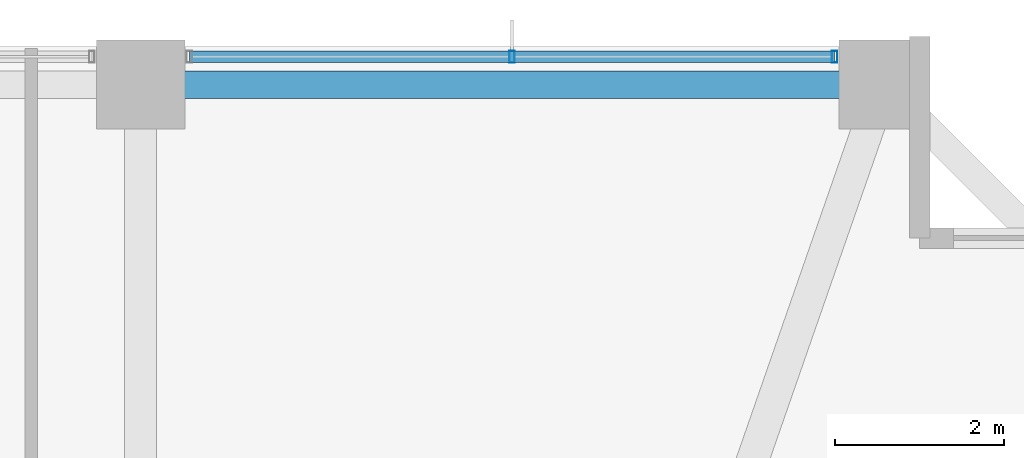
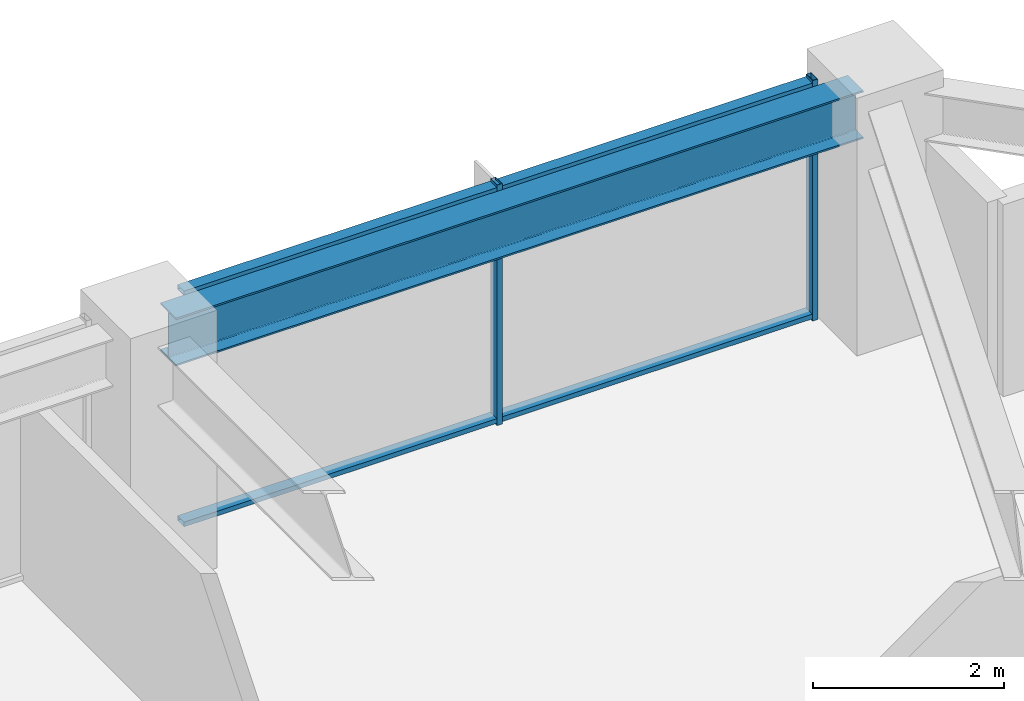
# One storey, part 23 of 38: 4 members, 1 beam, 1 element without a shape of its own.
"""IFC4 building model written with IfcOpenShell, lengths in metres."""

from ifc_helpers import new_model, si_unit, direction, frame, origin, origin_2d, place, context, subcontext, project, spatial, hollow_rectangle, i_section, extrude, material, material_profile, profile_set, type_object, element, aggregate, save


model = new_model("IFC4")

# Units and contexts
model_context = context("Model", 3, precision=1e-05, world=origin(), true_north=direction((0.0, 1.0)))
body_context = subcontext(model_context, "Body", "Model", "MODEL_VIEW")
ifc_project = project(units=[si_unit("LENGTHUNIT", "METRE"), si_unit("AREAUNIT", "SQUARE_METRE"), si_unit("VOLUMEUNIT", "CUBIC_METRE"), si_unit("PLANEANGLEUNIT", "RADIAN"), si_unit("MASSUNIT", "GRAM", prefix="KILO")], contexts=[model_context])

# Site, building, storey
site_placement = place(None, origin())
site = spatial("IfcSite", under=ifc_project, at=site_placement, CompositionType="ELEMENT")
building_placement = place(site_placement, origin())
building = spatial("IfcBuilding", under=site, at=building_placement, Name="Kolvaren Belvedere", CompositionType="ELEMENT")
storey_placement = place(building_placement, frame((0.0, 0.0, 101.89990234375)))
storey = spatial("IfcBuildingStorey", under=building, at=storey_placement, Name="L29", CompositionType="ELEMENT", Elevation=101.89990234375)

# Beam
ifc_material_1 = material(Name="Structural steel ASTM A992 Grade 50", Category="steel")
ifc_material_profile_1 = material_profile(ifc_material_1, i_section(OverallWidth=0.324951171875, OverallDepth=0.615966796875, WebThickness=0.013916015625, FlangeThickness=0.021484375, FilletRadius=0.02001953125, at=origin_2d()), Name="W24X117")
ifc_profile_set_1 = profile_set([ifc_material_profile_1], Name="Structural steel ASTM A992 Grade 50")
beam_type = type_object("IfcBeamType", Name="BM-SPAN-W24X117", PredefinedType="SPANDREL", material=ifc_profile_set_1)
beam_placement = place(storey_placement, frame((13.163818359375, 19.949951171875, 2.772216796875), z_axis=(-1.0, 0.0, 0.0), x_axis=(0.0, -1.0, 0.0)))
element("IfcBeam", 1, at=beam_placement, inside=storey, type_object=beam_type, Name="L29 Perimeter Spandrel N4-N3", PredefinedType="SPANDREL", context=body_context, shape_type="SweptSolid", body=[
    extrude(i_section(OverallWidth=0.324951171875, OverallDepth=0.615966796875, WebThickness=0.013916015625, FlangeThickness=0.021484375, FilletRadius=0.02001953125, at=origin_2d()), origin(), (0.0, 0.0, 1.0), 8.32763671875),
])

# Curtain wall, members
ifc_material_2 = material(Name="Anodised pale-metal aluminium AA 6063-T6", Category="aluminium")
curtain_wall_type = type_object("IfcCurtainWallType", Name="CW-Z2-MID", PredefinedType="NOTDEFINED", material=ifc_material_2)
curtain_wall_placement = place(storey_placement, origin())
curtain_wall = element("IfcCurtainWall", 2, at=curtain_wall_placement, inside=storey, type_object=curtain_wall_type, Name="L29 Unitised Curtain Wall FCW-L29-N-B3", PredefinedType="NOTDEFINED")
ifc_material_3 = material(Name="Anodised pale-metal aluminium AA 6063-T6", Category="aluminium")
ifc_material_profile_2 = material_profile(ifc_material_3, hollow_rectangle(XDim=0.06494140625, YDim=0.139892578125, WallThickness=0.00390625, at=origin_2d()), Name="ALU-MUL-140X65")
ifc_profile_set_2 = profile_set([ifc_material_profile_2], Name="Anodised pale-metal aluminium AA 6063-T6")
member_type_1 = type_object("IfcMemberType", Name="CW-MUL-140", PredefinedType="MULLION", material=ifc_profile_set_2)
member_1_placement = place(storey_placement, frame((9.0, 20.280029296875, 0.0), z_axis=(0.0, 0.0, 1.0), x_axis=(1.0, 0.0, 0.0)))
member_1 = element("IfcMember", 3, at=member_1_placement, type_object=member_type_1, Name="FCW-L29-N-B3 Unitised Mullion 2", PredefinedType="MULLION", context=body_context, shape_type="SweptSolid", body=[
    extrude(hollow_rectangle(XDim=0.06494140625, YDim=0.139892578125, WallThickness=0.00390625, at=origin_2d()), origin(), (0.0, 0.0, 1.0), 3.080078125),
])
member_2_placement = place(storey_placement, frame((12.822509765625, 20.280029296875, 0.0), z_axis=(0.0, 0.0, 1.0), x_axis=(1.0, 0.0, 0.0)))
member_2 = element("IfcMember", 4, at=member_2_placement, type_object=member_type_1, Name="FCW-L29-N-B3 Unitised Mullion 3", PredefinedType="MULLION", context=body_context, shape_type="SweptSolid", body=[
    extrude(hollow_rectangle(XDim=0.06494140625, YDim=0.139892578125, WallThickness=0.00390625, at=origin_2d()), origin(), (0.0, 0.0, 1.0), 3.080078125),
])
ifc_material_4 = material(Name="Anodised pale-metal aluminium AA 6063-T6", Category="aluminium")
ifc_material_profile_3 = material_profile(ifc_material_4, hollow_rectangle(XDim=0.06005859375, YDim=0.139892578125, WallThickness=0.00390625, at=origin_2d()), Name="ALU-TRN-140X60")
ifc_profile_set_3 = profile_set([ifc_material_profile_3], Name="Anodised pale-metal aluminium AA 6063-T6")
member_type_2 = type_object("IfcMemberType", Name="CW-TRN-140", PredefinedType="USERDEFINED", material=ifc_profile_set_3)
member_3_placement = place(storey_placement, frame((5.177490234375, 20.280029296875, 0.06005859375), z_axis=(1.0, 0.0, 0.0), x_axis=(0.0, 0.0, 1.0)))
member_3 = element("IfcMember", 5, at=member_3_placement, type_object=member_type_2, Name="FCW-L29-N-B3 Sill Transom", ObjectType="TRANSOM", PredefinedType="USERDEFINED", context=body_context, shape_type="SweptSolid", body=[
    extrude(hollow_rectangle(XDim=0.06005859375, YDim=0.139892578125, WallThickness=0.00390625, at=origin_2d()), origin(), (0.0, 0.0, 1.0), 7.64501953125),
])
member_4_placement = place(storey_placement, frame((5.177490234375, 20.280029296875, 3.02001953125), z_axis=(1.0, 0.0, 0.0), x_axis=(0.0, 0.0, 1.0)))
member_4 = element("IfcMember", 6, at=member_4_placement, type_object=member_type_2, Name="FCW-L29-N-B3 Head Transom", ObjectType="TRANSOM", PredefinedType="USERDEFINED", context=body_context, shape_type="SweptSolid", body=[
    extrude(hollow_rectangle(XDim=0.06005859375, YDim=0.139892578125, WallThickness=0.00390625, at=origin_2d()), origin(), (0.0, 0.0, 1.0), 7.64501953125),
])
aggregate(curtain_wall, [member_1, member_2, member_3, member_4])

save(model, "model.ifc")
